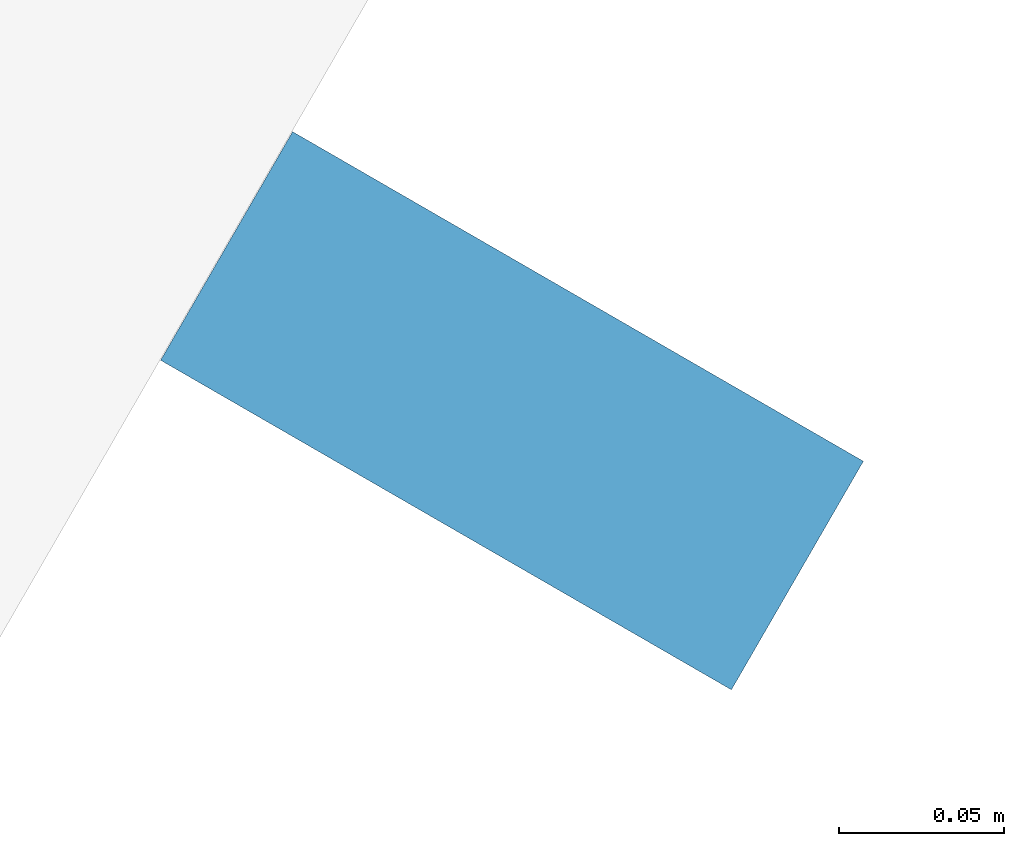
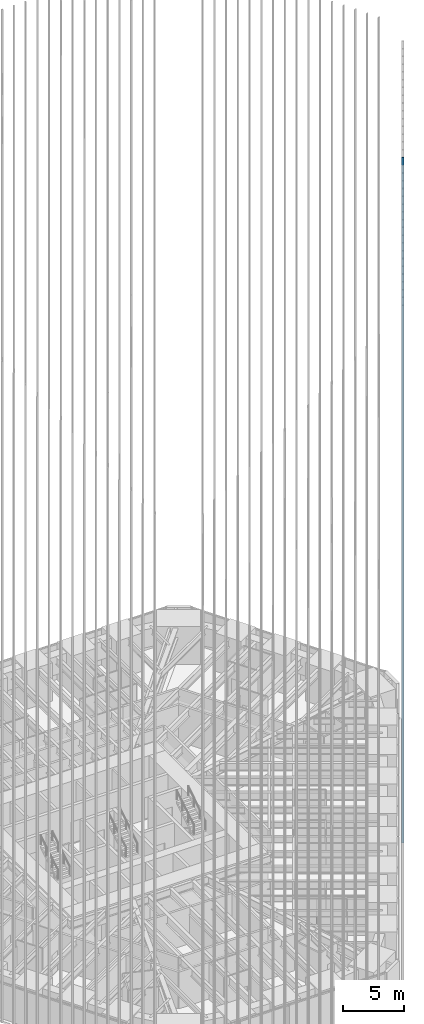
# One storey, part 112 of 256: 1 member, 1 element without a shape of its own.
"""IFC4 building model written with IfcOpenShell, lengths in metres."""

from ifc_helpers import new_model, si_unit, direction, frame, origin, origin_2d, place, context, subcontext, project, spatial, rectangle, extrude, material, material_profile, profile_set, type_object, element, aggregate, save


model = new_model("IFC4")

# Units and contexts
model_context = context("Model", 3, precision=1e-05, world=origin(), true_north=direction((0.0, 1.0)))
body_context = subcontext(model_context, "Body", "Model", "MODEL_VIEW")
ifc_project = project(units=[si_unit("LENGTHUNIT", "METRE"), si_unit("AREAUNIT", "SQUARE_METRE"), si_unit("VOLUMEUNIT", "CUBIC_METRE"), si_unit("PLANEANGLEUNIT", "RADIAN"), si_unit("MASSUNIT", "GRAM", prefix="KILO")], contexts=[model_context])

# Site, building, storey
site_placement = place(None, origin())
site = spatial("IfcSite", under=ifc_project, at=site_placement, CompositionType="ELEMENT")
building_placement = place(site_placement, origin())
building = spatial("IfcBuilding", under=site, at=building_placement, Name="Sandreach Pilgrim Tower", CompositionType="ELEMENT")
storey_placement = place(building_placement, frame((0.0, 0.0, 23.0)))
storey = spatial("IfcBuildingStorey", under=building, at=storey_placement, Name="L04", CompositionType="ELEMENT", Elevation=23.0)

# Curtain wall, member
ifc_material_1 = material(Name="Aluminium framed curtain wall", Category="aluminium")
curtain_wall_type = type_object("IfcCurtainWallType", Name="Hostel tower curtain wall", PredefinedType="NOTDEFINED", material=ifc_material_1)
curtain_wall_placement = place(storey_placement, origin())
curtain_wall = element("IfcCurtainWall", 1, at=curtain_wall_placement, inside=storey, type_object=curtain_wall_type, Name="CW-1 L04 SE", PredefinedType="NOTDEFINED")
ifc_material_2 = material(Name="Extruded terracotta on aluminium core", Category="masonry")
ifc_material_profile = material_profile(ifc_material_2, rectangle(XDim=0.080078125, YDim=0.199951171875, at=origin_2d()), Name="TBE 80X200")
ifc_profile_set = profile_set([ifc_material_profile], Name="Extruded terracotta on aluminium core")
member_type = type_object("IfcMemberType", Name="Terracotta baguette east", PredefinedType="USERDEFINED", material=ifc_profile_set)
member_placement = place(storey_placement, frame((22.1923828125, -10.25927734375, 0.0), z_axis=(0.0, 0.0, 1.0), x_axis=(-0.5, -0.866025403784, 0.0)))
member = element("IfcMember", 2, at=member_placement, type_object=member_type, Name="Baguette Z1 SE16", ObjectType="BAGUETTE", PredefinedType="USERDEFINED", context=body_context, shape_type="SweptSolid", body=[
    extrude(rectangle(XDim=0.080078125, YDim=0.199951171875, at=origin_2d()), origin(), (0.0, 0.0, 1.0), 68.239990234375),
])
aggregate(curtain_wall, [member])

save(model, "model.ifc")
